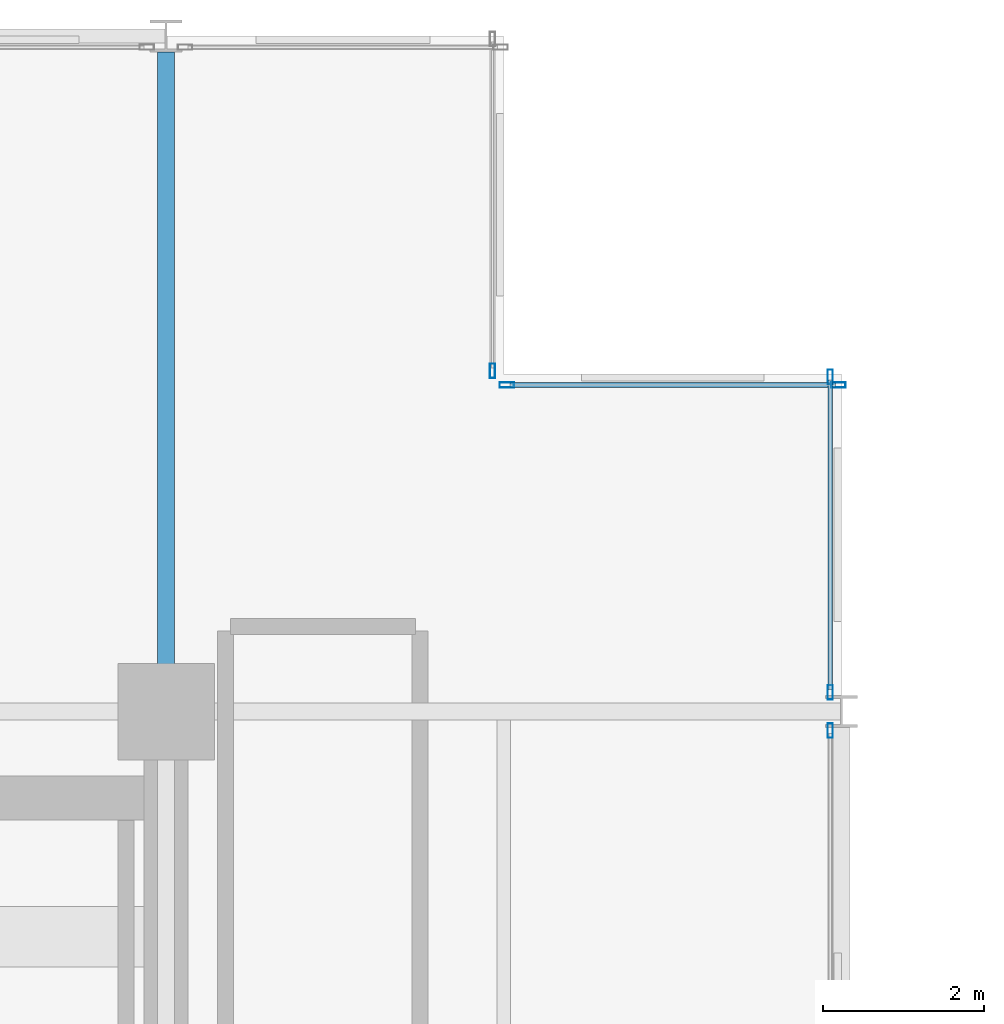
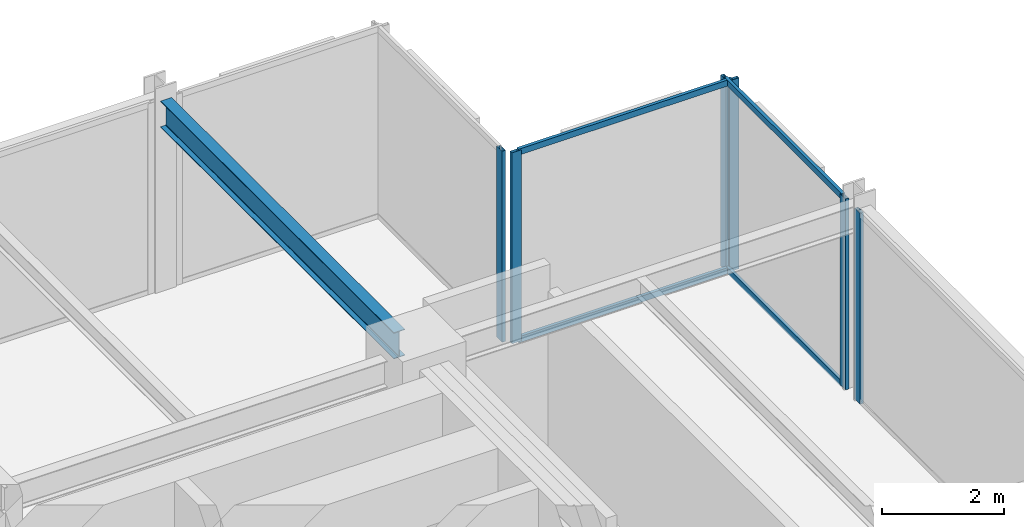
# One storey, part 28 of 38: 10 members, 1 beam, 4 elements without a shape of their own.
"""IFC4 building model written with IfcOpenShell, lengths in metres."""

from ifc_helpers import new_model, si_unit, direction, frame, origin, origin_2d, place, context, subcontext, project, spatial, hollow_rectangle, i_section, extrude, material, layer, layer_set, material_profile, profile_set, type_object, element, aggregate, save


model = new_model("IFC4")

# Units and contexts
model_context = context("Model", 3, precision=1e-05, world=origin(), true_north=direction((0.0, 1.0)))
body_context = subcontext(model_context, "Body", "Model", "MODEL_VIEW")
ifc_project = project(units=[si_unit("LENGTHUNIT", "METRE"), si_unit("AREAUNIT", "SQUARE_METRE"), si_unit("VOLUMEUNIT", "CUBIC_METRE"), si_unit("PLANEANGLEUNIT", "RADIAN"), si_unit("MASSUNIT", "GRAM", prefix="KILO")], contexts=[model_context])

# Site, building, storey
site_placement = place(None, origin())
site = spatial("IfcSite", under=ifc_project, at=site_placement, CompositionType="ELEMENT")
building_placement = place(site_placement, origin())
building = spatial("IfcBuilding", under=site, at=building_placement, Name="Nerrivon Quay Data Exchange", CompositionType="ELEMENT")
storey_placement = place(building_placement, frame((0.0, 0.0, 96.699951171875)))
storey = spatial("IfcBuildingStorey", under=building, at=storey_placement, Name="L22", CompositionType="ELEMENT", Elevation=96.699951171875)

# Beam
ifc_material_1 = material(Name="Steel Grade 350", Category="steel")
ifc_material_profile_1 = material_profile(ifc_material_1, i_section(OverallWidth=0.208984375, OverallDepth=0.528076171875, WebThickness=0.009521484375, FlangeThickness=0.01318359375, FilletRadius=0.013916015625, at=origin_2d()), Name="530UB82.0")
ifc_profile_set_1 = profile_set([ifc_material_profile_1], Name="Steel Grade 350")
beam_type = type_object("IfcBeamType", Name="BM-G4-530UB82", PredefinedType="BEAM", material=ifc_profile_set_1)
beam_placement = place(storey_placement, frame((16.800048828125, 42.5400390625, 3.56103515625), z_axis=(0.0, 1.0, 0.0), x_axis=(-1.0, 0.0, 0.0)))
element("IfcBeam", 1, at=beam_placement, inside=storey, type_object=beam_type, Name="L22 NS Girder X=16.8 (42.0..50.4)", PredefinedType="BEAM", context=body_context, shape_type="SweptSolid", body=[
    extrude(i_section(OverallWidth=0.208984375, OverallDepth=0.528076171875, WebThickness=0.009521484375, FlangeThickness=0.01318359375, FilletRadius=0.013916015625, at=origin_2d()), origin(), (0.0, 0.0, 1.0), 7.659912109375),
])

# Curtain wall, member
ifc_material_2 = material(Name="Anodised aluminium 6063-T6", Category="aluminium")
ifc_layer = layer(ifc_material_2, 0.2099609375)
ifc_layer_set = layer_set([ifc_layer], Name="Anodised aluminium 6063-T6")
curtain_wall_type = type_object("IfcCurtainWallType", Name="CW-SYS-02", PredefinedType="NOTDEFINED", material=ifc_layer_set)
curtain_wall_1_placement = place(storey_placement, origin())
curtain_wall_1 = element("IfcCurtainWall", 2, at=curtain_wall_1_placement, inside=storey, type_object=curtain_wall_type, Name="L22 Unitised Curtain Wall 27", PredefinedType="NOTDEFINED")
ifc_material_profile_2 = material_profile(ifc_material_2, hollow_rectangle(XDim=0.06494140625, YDim=0.179931640625, WallThickness=0.00341796875, at=origin_2d()), Name="ALU-MULL-180x65")
ifc_profile_set_2 = profile_set([ifc_material_profile_2], Name="Anodised aluminium 6063-T6")
member_type_1 = type_object("IfcMemberType", Name="CWM-180x65", PredefinedType="MULLION", material=ifc_profile_set_2)
member_1_placement = place(storey_placement, frame((20.860107421875, 46.237548828125, 0.0), z_axis=(0.0, 0.0, 1.0), x_axis=(1.0, 0.0, 0.0)))
member_1 = element("IfcMember", 3, at=member_1_placement, type_object=member_type_1, Name="CW02 mullion 2", PredefinedType="MULLION", context=body_context, shape_type="SweptSolid", body=[
    extrude(hollow_rectangle(XDim=0.06494140625, YDim=0.179931640625, WallThickness=0.00341796875, at=origin_2d()), origin(), (0.0, 0.0, 1.0), 3.824951171875),
])
aggregate(curtain_wall_1, [member_1])

# Curtain wall, members
curtain_wall_2_placement = place(storey_placement, origin())
curtain_wall_2 = element("IfcCurtainWall", 4, at=curtain_wall_2_placement, inside=storey, type_object=curtain_wall_type, Name="L22 Unitised Curtain Wall 28", PredefinedType="NOTDEFINED")
member_2_placement = place(storey_placement, frame((21.03759765625, 46.06005859375, 0.0), z_axis=(0.0, 0.0, 1.0), x_axis=(0.0, 1.0, 0.0)))
member_2 = element("IfcMember", 5, at=member_2_placement, type_object=member_type_1, Name="CW02 mullion 1", PredefinedType="MULLION", context=body_context, shape_type="SweptSolid", body=[
    extrude(hollow_rectangle(XDim=0.06494140625, YDim=0.179931640625, WallThickness=0.00341796875, at=origin_2d()), origin(), (0.0, 0.0, 1.0), 3.824951171875),
])
member_3_placement = place(storey_placement, frame((25.16259765625, 46.06005859375, 0.0), z_axis=(0.0, 0.0, 1.0), x_axis=(0.0, 1.0, 0.0)))
member_3 = element("IfcMember", 6, at=member_3_placement, type_object=member_type_1, Name="CW02 mullion 2", PredefinedType="MULLION", context=body_context, shape_type="SweptSolid", body=[
    extrude(hollow_rectangle(XDim=0.06494140625, YDim=0.179931640625, WallThickness=0.00341796875, at=origin_2d()), origin(), (0.0, 0.0, 1.0), 3.824951171875),
])

curtain_wall_3_placement = place(storey_placement, origin())
curtain_wall_3 = element("IfcCurtainWall", 7, at=curtain_wall_3_placement, inside=storey, type_object=curtain_wall_type, Name="L22 Unitised Curtain Wall 29", PredefinedType="NOTDEFINED")
member_4_placement = place(storey_placement, frame((25.06005859375, 46.16259765625, 0.0), z_axis=(0.0, 0.0, 1.0), x_axis=(1.0, 0.0, 0.0)))
member_4 = element("IfcMember", 8, at=member_4_placement, type_object=member_type_1, Name="CW02 mullion 1", PredefinedType="MULLION", context=body_context, shape_type="SweptSolid", body=[
    extrude(hollow_rectangle(XDim=0.06494140625, YDim=0.179931640625, WallThickness=0.00341796875, at=origin_2d()), origin(), (0.0, 0.0, 1.0), 3.824951171875),
])
member_5_placement = place(storey_placement, frame((25.06005859375, 42.237548828125, 0.0), z_axis=(0.0, 0.0, 1.0), x_axis=(1.0, 0.0, 0.0)))
member_5 = element("IfcMember", 9, at=member_5_placement, type_object=member_type_1, Name="CW02 mullion 2", PredefinedType="MULLION", context=body_context, shape_type="SweptSolid", body=[
    extrude(hollow_rectangle(XDim=0.06494140625, YDim=0.179931640625, WallThickness=0.00341796875, at=origin_2d()), origin(), (0.0, 0.0, 1.0), 3.824951171875),
])

# Curtain wall, member
curtain_wall_4_placement = place(storey_placement, origin())
curtain_wall_4 = element("IfcCurtainWall", 10, at=curtain_wall_4_placement, inside=storey, type_object=curtain_wall_type, Name="L22 Unitised Curtain Wall 30", PredefinedType="NOTDEFINED")
member_6_placement = place(storey_placement, frame((25.06005859375, 41.762451171875, 0.0), z_axis=(0.0, 0.0, 1.0), x_axis=(1.0, 0.0, 0.0)))
member_6 = element("IfcMember", 11, at=member_6_placement, type_object=member_type_1, Name="CW02 mullion 1", PredefinedType="MULLION", context=body_context, shape_type="SweptSolid", body=[
    extrude(hollow_rectangle(XDim=0.06494140625, YDim=0.179931640625, WallThickness=0.00341796875, at=origin_2d()), origin(), (0.0, 0.0, 1.0), 3.824951171875),
])
aggregate(curtain_wall_4, [member_6])

# Member
ifc_material_profile_3 = material_profile(ifc_material_2, hollow_rectangle(XDim=0.06005859375, YDim=0.1201171875, WallThickness=0.003173828125, at=origin_2d()), Name="ALU-TRAN-120x60")
ifc_profile_set_3 = profile_set([ifc_material_profile_3], Name="Anodised aluminium 6063-T6")
member_type_2 = type_object("IfcMemberType", Name="CWT-120x60", PredefinedType="USERDEFINED", material=ifc_profile_set_3)
member_7_placement = place(storey_placement, frame((21.074951171875, 46.06005859375, 0.032470703125), z_axis=(1.0, 0.0, 0.0), x_axis=(0.0, 1.0, 0.0)))
member_7 = element("IfcMember", 12, at=member_7_placement, type_object=member_type_2, Name="CW02 transom 1.1", ObjectType="TRANSOM", PredefinedType="USERDEFINED", context=body_context, shape_type="SweptSolid", body=[
    extrude(hollow_rectangle(XDim=0.06005859375, YDim=0.1201171875, WallThickness=0.003173828125, at=origin_2d()), origin(), (0.0, 0.0, 1.0), 4.050048828125),
])

member_8_placement = place(storey_placement, frame((21.074951171875, 46.06005859375, 3.79248046875), z_axis=(1.0, 0.0, 0.0), x_axis=(0.0, 1.0, 0.0)))
member_8 = element("IfcMember", 13, at=member_8_placement, type_object=member_type_2, Name="CW02 transom 1.2", ObjectType="TRANSOM", PredefinedType="USERDEFINED", context=body_context, shape_type="SweptSolid", body=[
    extrude(hollow_rectangle(XDim=0.06005859375, YDim=0.1201171875, WallThickness=0.003173828125, at=origin_2d()), origin(), (0.0, 0.0, 1.0), 4.050048828125),
])

aggregate(curtain_wall_2, [member_2, member_3, member_7, member_8])

member_9_placement = place(storey_placement, frame((25.06005859375, 46.125, 0.032470703125), z_axis=(0.0, -1.0, 0.0), x_axis=(1.0, 0.0, 0.0)))
member_9 = element("IfcMember", 14, at=member_9_placement, type_object=member_type_2, Name="CW02 transom 1.1", ObjectType="TRANSOM", PredefinedType="USERDEFINED", context=body_context, shape_type="SweptSolid", body=[
    extrude(hollow_rectangle(XDim=0.06005859375, YDim=0.1201171875, WallThickness=0.003173828125, at=origin_2d()), origin(), (0.0, 0.0, 1.0), 3.85009765625),
])

member_10_placement = place(storey_placement, frame((25.06005859375, 46.125, 3.79248046875), z_axis=(0.0, -1.0, 0.0), x_axis=(1.0, 0.0, 0.0)))
member_10 = element("IfcMember", 15, at=member_10_placement, type_object=member_type_2, Name="CW02 transom 1.2", ObjectType="TRANSOM", PredefinedType="USERDEFINED", context=body_context, shape_type="SweptSolid", body=[
    extrude(hollow_rectangle(XDim=0.06005859375, YDim=0.1201171875, WallThickness=0.003173828125, at=origin_2d()), origin(), (0.0, 0.0, 1.0), 3.85009765625),
])

aggregate(curtain_wall_3, [member_4, member_5, member_9, member_10])

save(model, "model.ifc")
